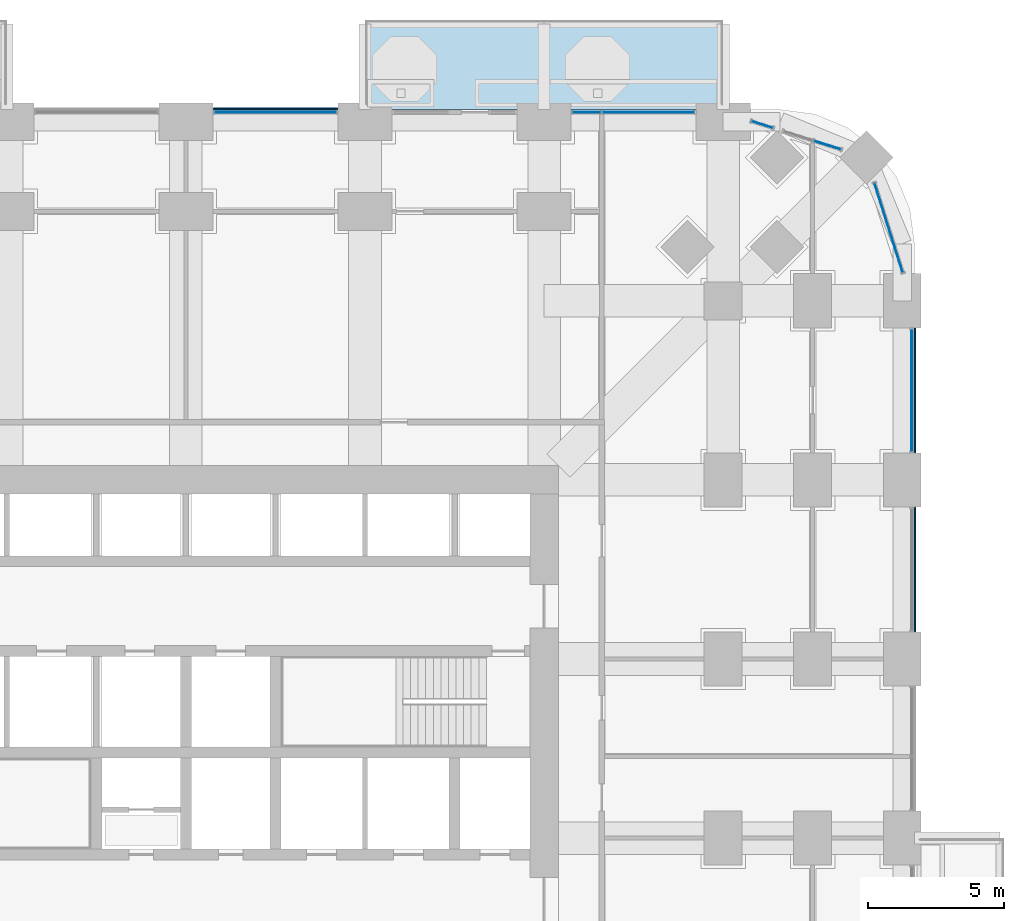
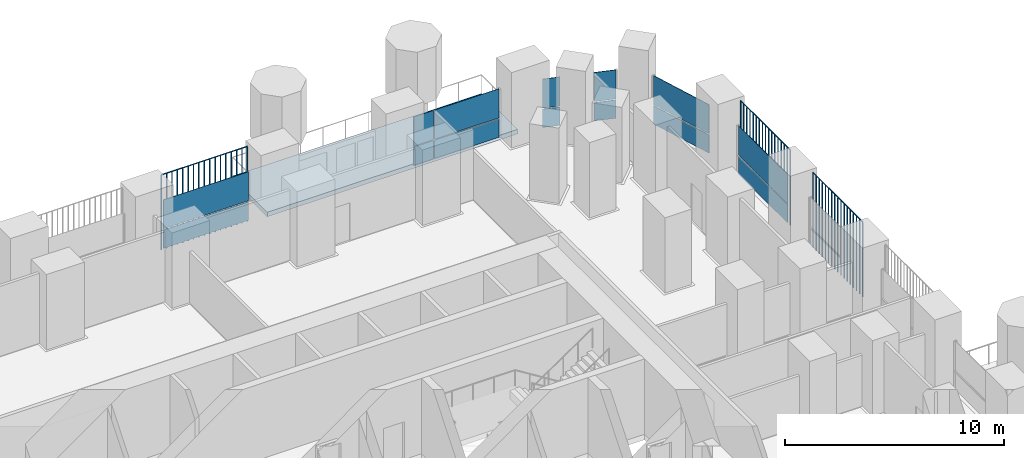
# One storey, part 15 of 25: 17 plates, 1 slab, 6 elements without a shape of their own.
"""IFC4 building model written with IfcOpenShell, lengths in metres."""

from ifc_helpers import new_model, si_unit, direction, frame, origin, origin_2d, place, context, subcontext, project, spatial, polyline, rectangle, outline, extrude, material, layer, layer_set, type_object, element, aggregate, save


model = new_model("IFC4")

# Units and contexts
model_context = context("Model", 3, precision=1e-05, world=origin(), true_north=direction((0.0, 1.0)))
body_context = subcontext(model_context, "Body", "Model", "MODEL_VIEW")
ifc_project = project(units=[si_unit("LENGTHUNIT", "METRE"), si_unit("AREAUNIT", "SQUARE_METRE"), si_unit("VOLUMEUNIT", "CUBIC_METRE"), si_unit("PLANEANGLEUNIT", "RADIAN"), si_unit("MASSUNIT", "GRAM", prefix="KILO")], contexts=[model_context])

# Site, building, storey
site_placement = place(None, origin())
site = spatial("IfcSite", under=ifc_project, at=site_placement, CompositionType="ELEMENT")
building_placement = place(site_placement, origin())
building = spatial("IfcBuilding", under=site, at=building_placement, Name="Cobogo Forest Laboratory Tower", CompositionType="ELEMENT")
storey_placement = place(building_placement, frame((0.0, 0.0, 21.300048828125)))
storey = spatial("IfcBuildingStorey", under=building, at=storey_placement, Name="L04", CompositionType="ELEMENT", Elevation=21.300048828125)

# Slab
ifc_material_1 = material(Name="Concrete HA-40 (C40/50)", Category="concrete")
ifc_layer_1 = layer(ifc_material_1, 0.25)
ifc_layer_set_1 = layer_set([ifc_layer_1], Name="Balcony slab 250")
slab_type = type_object("IfcSlabType", Name="Balcony slab 250", PredefinedType="FLOOR", material=ifc_layer_set_1)
slab_placement = place(storey_placement, frame((0.0, 0.0, -0.25)))
element("IfcSlab", 1, at=slab_placement, inside=storey, type_object=slab_type, Name="Balcony BAL-N2 L04", PredefinedType="FLOOR", context=body_context, shape_type="SweptSolid", body=[
    extrude(outline(polyline([(33.0, 46.64990234375), (46.199951171875, 46.64990234375), (46.199951171875, 49.949951171875), (33.0, 49.949951171875), (33.0, 46.64990234375)])), origin(), (0.0, 0.0, 1.0), 0.25),
])

# Curtain wall, plates
ifc_material_2 = material(Name="Aluminium curtain wall", Category="aluminium")
curtain_wall_type = type_object("IfcCurtainWallType", Name="CW-1 unitised curtain wall, clear glazing, laboratory floors zones A and B", PredefinedType="USERDEFINED", material=ifc_material_2)
curtain_wall_1_placement = place(storey_placement, origin())
curtain_wall_1 = element("IfcCurtainWall", 2, at=curtain_wall_1_placement, inside=storey, type_object=curtain_wall_type, Name="Curtain wall 14 L04", ObjectType="UNITISED CURTAIN WALL", PredefinedType="USERDEFINED")
ifc_material_3 = material(Name="Clear insulated glass", Category="glass")
ifc_layer_2 = layer(ifc_material_3, 0.028076171875)
ifc_layer_set_2 = layer_set([ifc_layer_2], Name="GP-1 clear insulated glass unit 28")
plate_type_1 = type_object("IfcPlateType", Name="GP-1 clear insulated glass unit 28", PredefinedType="CURTAIN_PANEL", material=ifc_layer_set_2)
plate_1_placement = place(storey_placement, frame((53.14990234375, 36.300048828125, 0.0), z_axis=(0.0, 0.0, 1.0), x_axis=(0.0, 1.0, 0.0)))
plate_1 = element("IfcPlate", 3, at=plate_1_placement, type_object=plate_type_1, Name="CW-1 panel 1.1", PredefinedType="CURTAIN_PANEL", context=body_context, shape_type="SweptSolid", body=[
    extrude(rectangle(XDim=4.47998046875, YDim=0.028076171875, at=origin_2d()), origin(), (0.0, 0.0, 1.0), 1.02001953125),
])
plate_2_placement = place(storey_placement, frame((53.14990234375, 36.300048828125, 1.079833984375), z_axis=(0.0, 0.0, 1.0), x_axis=(0.0, 1.0, 0.0)))
plate_2 = element("IfcPlate", 4, at=plate_2_placement, type_object=plate_type_1, Name="CW-1 panel 1.2", PredefinedType="CURTAIN_PANEL", context=body_context, shape_type="SweptSolid", body=[
    extrude(rectangle(XDim=4.47998046875, YDim=0.028076171875, at=origin_2d()), origin(), (0.0, 0.0, 1.0), 1.6201171875),
])
aggregate(curtain_wall_1, [plate_1, plate_2])

curtain_wall_2_placement = place(storey_placement, origin())
curtain_wall_2 = element("IfcCurtainWall", 5, at=curtain_wall_2_placement, inside=storey, type_object=curtain_wall_type, Name="Curtain wall 15 L04", ObjectType="UNITISED CURTAIN WALL", PredefinedType="USERDEFINED")
plate_3_placement = place(storey_placement, frame((52.299072265625, 42.294921875, 0.0), z_axis=(0.0, 0.0, 1.0), x_axis=(-0.301135433696, 0.953581381201, 0.0)))
plate_3 = element("IfcPlate", 6, at=plate_3_placement, type_object=plate_type_1, Name="CW-1 panel 1.1", PredefinedType="CURTAIN_PANEL", context=body_context, shape_type="SweptSolid", body=[
    extrude(rectangle(XDim=3.434814453125, YDim=0.028076171875, at=origin_2d()), origin(), (0.0, 0.0, 1.0), 1.02001953125),
])
plate_4_placement = place(storey_placement, frame((52.299072265625, 42.294921875, 1.079833984375), z_axis=(0.0, 0.0, 1.0), x_axis=(-0.301135433696, 0.953581381201, 0.0)))
plate_4 = element("IfcPlate", 7, at=plate_4_placement, type_object=plate_type_1, Name="CW-1 panel 1.2", PredefinedType="CURTAIN_PANEL", context=body_context, shape_type="SweptSolid", body=[
    extrude(rectangle(XDim=3.434814453125, YDim=0.028076171875, at=origin_2d()), origin(), (0.0, 0.0, 1.0), 1.6201171875),
])
aggregate(curtain_wall_2, [plate_3, plate_4])

curtain_wall_3_placement = place(storey_placement, origin())
curtain_wall_3 = element("IfcCurtainWall", 8, at=curtain_wall_3_placement, inside=storey, type_object=curtain_wall_type, Name="Curtain wall 16 L04", ObjectType="UNITISED CURTAIN WALL", PredefinedType="USERDEFINED")
plate_5_placement = place(storey_placement, frame((50.042724609375, 45.33642578125, 0.0), z_axis=(0.0, 0.0, 1.0), x_axis=(-0.953581409645, 0.301135343623, 0.0)))
plate_5 = element("IfcPlate", 9, at=plate_5_placement, type_object=plate_type_1, Name="CW-1 panel 1.1", PredefinedType="CURTAIN_PANEL", context=body_context, shape_type="SweptSolid", body=[
    extrude(rectangle(XDim=1.027587890625, YDim=0.028076171875, at=origin_2d()), origin(), (0.0, 0.0, 1.0), 1.02001953125),
])
plate_6_placement = place(storey_placement, frame((50.042724609375, 45.33642578125, 1.079833984375), z_axis=(0.0, 0.0, 1.0), x_axis=(-0.953581409645, 0.301135343623, 0.0)))
plate_6 = element("IfcPlate", 10, at=plate_6_placement, type_object=plate_type_1, Name="CW-1 panel 1.2", PredefinedType="CURTAIN_PANEL", context=body_context, shape_type="SweptSolid", body=[
    extrude(rectangle(XDim=1.027587890625, YDim=0.028076171875, at=origin_2d()), origin(), (0.0, 0.0, 1.0), 1.6201171875),
])
aggregate(curtain_wall_3, [plate_5, plate_6])

curtain_wall_4_placement = place(storey_placement, origin())
curtain_wall_4 = element("IfcCurtainWall", 11, at=curtain_wall_4_placement, inside=storey, type_object=curtain_wall_type, Name="Curtain wall 17 L04", ObjectType="UNITISED CURTAIN WALL", PredefinedType="USERDEFINED")
plate_7_placement = place(storey_placement, frame((47.640869140625, 46.094970703125, 0.0), z_axis=(0.0, 0.0, 1.0), x_axis=(-0.953581406818, 0.301135352577, 0.0)))
plate_7 = element("IfcPlate", 12, at=plate_7_placement, type_object=plate_type_1, Name="CW-1 panel 1.1", PredefinedType="CURTAIN_PANEL", context=body_context, shape_type="SweptSolid", body=[
    extrude(rectangle(XDim=0.804931640625, YDim=0.028076171875, at=origin_2d()), origin(), (0.0, 0.0, 1.0), 1.02001953125),
])
plate_8_placement = place(storey_placement, frame((47.640869140625, 46.094970703125, 1.079833984375), z_axis=(0.0, 0.0, 1.0), x_axis=(-0.953581406818, 0.301135352577, 0.0)))
plate_8 = element("IfcPlate", 13, at=plate_8_placement, type_object=plate_type_1, Name="CW-1 panel 1.2", PredefinedType="CURTAIN_PANEL", context=body_context, shape_type="SweptSolid", body=[
    extrude(rectangle(XDim=0.804931640625, YDim=0.028076171875, at=origin_2d()), origin(), (0.0, 0.0, 1.0), 1.6201171875),
])
aggregate(curtain_wall_4, [plate_7, plate_8])

curtain_wall_5_placement = place(storey_placement, origin())
curtain_wall_5 = element("IfcCurtainWall", 14, at=curtain_wall_5_placement, inside=storey, type_object=curtain_wall_type, Name="Curtain wall 18 L04", ObjectType="UNITISED CURTAIN WALL", PredefinedType="USERDEFINED")
plate_9_placement = place(storey_placement, frame((43.447509765625, 46.550048828125, 0.0), z_axis=(0.0, 0.0, 1.0), x_axis=(-1.0, 0.0, 0.0)))
plate_9 = element("IfcPlate", 15, at=plate_9_placement, type_object=plate_type_1, Name="CW-1 panel 1.1", PredefinedType="CURTAIN_PANEL", context=body_context, shape_type="SweptSolid", body=[
    extrude(rectangle(XDim=3.385009765625, YDim=0.028076171875, at=origin_2d()), origin(), (0.0, 0.0, 1.0), 1.02001953125),
])
plate_10_placement = place(storey_placement, frame((43.447509765625, 46.550048828125, 1.079833984375), z_axis=(0.0, 0.0, 1.0), x_axis=(-1.0, 0.0, 0.0)))
plate_10 = element("IfcPlate", 16, at=plate_10_placement, type_object=plate_type_1, Name="CW-1 panel 1.2", PredefinedType="CURTAIN_PANEL", context=body_context, shape_type="SweptSolid", body=[
    extrude(rectangle(XDim=3.385009765625, YDim=0.028076171875, at=origin_2d()), origin(), (0.0, 0.0, 1.0), 1.6201171875),
])
plate_11_placement = place(storey_placement, frame((41.177490234375, 46.550048828125, 0.0), z_axis=(0.0, 0.0, 1.0), x_axis=(-1.0, 0.0, 0.0)))
plate_11 = element("IfcPlate", 17, at=plate_11_placement, type_object=plate_type_1, Name="CW-1 panel 2.1", PredefinedType="CURTAIN_PANEL", context=body_context, shape_type="SweptSolid", body=[
    extrude(rectangle(XDim=1.034912109375, YDim=0.028076171875, at=origin_2d()), origin(), (0.0, 0.0, 1.0), 1.02001953125),
])
plate_12_placement = place(storey_placement, frame((41.177490234375, 46.550048828125, 1.079833984375), z_axis=(0.0, 0.0, 1.0), x_axis=(-1.0, 0.0, 0.0)))
plate_12 = element("IfcPlate", 18, at=plate_12_placement, type_object=plate_type_1, Name="CW-1 panel 2.2", PredefinedType="CURTAIN_PANEL", context=body_context, shape_type="SweptSolid", body=[
    extrude(rectangle(XDim=1.034912109375, YDim=0.028076171875, at=origin_2d()), origin(), (0.0, 0.0, 1.0), 1.6201171875),
])
aggregate(curtain_wall_5, [plate_9, plate_10, plate_11, plate_12])

curtain_wall_6_placement = place(storey_placement, origin())
curtain_wall_6 = element("IfcCurtainWall", 19, at=curtain_wall_6_placement, inside=storey, type_object=curtain_wall_type, Name="Curtain wall 20 L04", ObjectType="UNITISED CURTAIN WALL", PredefinedType="USERDEFINED")
plate_13_placement = place(storey_placement, frame((29.699951171875, 46.550048828125, 0.0), z_axis=(0.0, 0.0, 1.0), x_axis=(-1.0, 0.0, 0.0)))
plate_13 = element("IfcPlate", 20, at=plate_13_placement, type_object=plate_type_1, Name="CW-1 panel 1.1", PredefinedType="CURTAIN_PANEL", context=body_context, shape_type="SweptSolid", body=[
    extrude(rectangle(XDim=4.47998046875, YDim=0.028076171875, at=origin_2d()), origin(), (0.0, 0.0, 1.0), 1.02001953125),
])
plate_14_placement = place(storey_placement, frame((29.699951171875, 46.550048828125, 1.079833984375), z_axis=(0.0, 0.0, 1.0), x_axis=(-1.0, 0.0, 0.0)))
plate_14 = element("IfcPlate", 21, at=plate_14_placement, type_object=plate_type_1, Name="CW-1 panel 1.2", PredefinedType="CURTAIN_PANEL", context=body_context, shape_type="SweptSolid", body=[
    extrude(rectangle(XDim=4.47998046875, YDim=0.028076171875, at=origin_2d()), origin(), (0.0, 0.0, 1.0), 1.6201171875),
])
aggregate(curtain_wall_6, [plate_13, plate_14])

# Plates
ifc_material_4 = material(Name="Terracotta", Category="masonry")
plate_type_2 = type_object("IfcPlateType", Name="TB1 terracotta baguette screen", PredefinedType="USERDEFINED", material=ifc_material_4)
plate_15_placement = place(storey_placement, frame((53.27783203125, 27.43115234375, -0.150146484375)))
element("IfcPlate", 22, at=plate_15_placement, inside=storey, type_object=plate_type_2, Name="Baguette screen E4 L04", ObjectType="BAGUETTE SCREEN", PredefinedType="USERDEFINED", context=body_context, shape_type="SweptSolid", body=[
    extrude(outline(polyline([(0.02880859375, 0.011962890625), (0.011962890625, 0.02880859375), (-0.011962890625, 0.02880859375), (-0.02880859375, 0.011962890625), (-0.02880859375, -0.011962890625), (-0.011962890625, -0.02880859375), (0.011962890625, -0.02880859375), (0.02880859375, -0.011962890625), (0.02880859375, 0.011962890625)])), frame((0.0, 0.0, 4.168701171875), z_axis=(0.0, 1.0, 0.0), x_axis=(-1.0, 0.0, 0.0)), (0.0, 0.0, 1.0), 4.53759765625),
    extrude(outline(polyline([(0.02880859375, 0.011962890625), (0.011962890625, 0.02880859375), (-0.011962890625, 0.02880859375), (-0.02880859375, 0.011962890625), (-0.02880859375, -0.011962890625), (-0.011962890625, -0.02880859375), (0.011962890625, -0.02880859375), (0.02880859375, -0.011962890625), (0.02880859375, 0.011962890625)])), origin(), (0.0, 0.0, 1.0), 4.137451171875),
    extrude(outline(polyline([(0.02880859375, 0.011962890625), (0.011962890625, 0.02880859375), (-0.011962890625, 0.02880859375), (-0.02880859375, 0.011962890625), (-0.02880859375, -0.011962890625), (-0.011962890625, -0.02880859375), (0.011962890625, -0.02880859375), (0.02880859375, -0.011962890625), (0.02880859375, 0.011962890625)])), frame((0.0, 0.28369140625, 0.0)), (0.0, 0.0, 1.0), 4.137451171875),
    extrude(outline(polyline([(0.02880859375, 0.011962890625), (0.011962890625, 0.02880859375), (-0.011962890625, 0.02880859375), (-0.02880859375, 0.011962890625), (-0.02880859375, -0.011962890625), (-0.011962890625, -0.02880859375), (0.011962890625, -0.02880859375), (0.02880859375, -0.011962890625), (0.02880859375, 0.011962890625)])), frame((0.0, 0.567138671875, 0.0)), (0.0, 0.0, 1.0), 4.137451171875),
    extrude(outline(polyline([(0.02880859375, 0.011962890625), (0.011962890625, 0.02880859375), (-0.011962890625, 0.02880859375), (-0.02880859375, 0.011962890625), (-0.02880859375, -0.011962890625), (-0.011962890625, -0.02880859375), (0.011962890625, -0.02880859375), (0.02880859375, -0.011962890625), (0.02880859375, 0.011962890625)])), frame((0.0, 0.850830078125, 0.0)), (0.0, 0.0, 1.0), 4.137451171875),
    extrude(outline(polyline([(0.02880859375, 0.011962890625), (0.011962890625, 0.02880859375), (-0.011962890625, 0.02880859375), (-0.02880859375, 0.011962890625), (-0.02880859375, -0.011962890625), (-0.011962890625, -0.02880859375), (0.011962890625, -0.02880859375), (0.02880859375, -0.011962890625), (0.02880859375, 0.011962890625)])), frame((0.0, 1.13427734375, 0.0)), (0.0, 0.0, 1.0), 4.137451171875),
    extrude(outline(polyline([(0.02880859375, 0.011962890625), (0.011962890625, 0.02880859375), (-0.011962890625, 0.02880859375), (-0.02880859375, 0.011962890625), (-0.02880859375, -0.011962890625), (-0.011962890625, -0.02880859375), (0.011962890625, -0.02880859375), (0.02880859375, -0.011962890625), (0.02880859375, 0.011962890625)])), frame((0.0, 1.41796875, 0.0)), (0.0, 0.0, 1.0), 4.137451171875),
    extrude(outline(polyline([(0.02880859375, 0.011962890625), (0.011962890625, 0.02880859375), (-0.011962890625, 0.02880859375), (-0.02880859375, 0.011962890625), (-0.02880859375, -0.011962890625), (-0.011962890625, -0.02880859375), (0.011962890625, -0.02880859375), (0.02880859375, -0.011962890625), (0.02880859375, 0.011962890625)])), frame((0.0, 1.70166015625, 0.0)), (0.0, 0.0, 1.0), 4.137451171875),
    extrude(outline(polyline([(0.02880859375, 0.011962890625), (0.011962890625, 0.02880859375), (-0.011962890625, 0.02880859375), (-0.02880859375, 0.011962890625), (-0.02880859375, -0.011962890625), (-0.011962890625, -0.02880859375), (0.011962890625, -0.02880859375), (0.02880859375, -0.011962890625), (0.02880859375, 0.011962890625)])), frame((0.0, 1.985107421875, 0.0)), (0.0, 0.0, 1.0), 4.137451171875),
    extrude(outline(polyline([(0.02880859375, 0.011962890625), (0.011962890625, 0.02880859375), (-0.011962890625, 0.02880859375), (-0.02880859375, 0.011962890625), (-0.02880859375, -0.011962890625), (-0.011962890625, -0.02880859375), (0.011962890625, -0.02880859375), (0.02880859375, -0.011962890625), (0.02880859375, 0.011962890625)])), frame((0.0, 2.268798828125, 0.0)), (0.0, 0.0, 1.0), 4.137451171875),
    extrude(outline(polyline([(0.02880859375, 0.011962890625), (0.011962890625, 0.02880859375), (-0.011962890625, 0.02880859375), (-0.02880859375, 0.011962890625), (-0.02880859375, -0.011962890625), (-0.011962890625, -0.02880859375), (0.011962890625, -0.02880859375), (0.02880859375, -0.011962890625), (0.02880859375, 0.011962890625)])), frame((0.0, 2.552490234375, 0.0)), (0.0, 0.0, 1.0), 4.137451171875),
    extrude(outline(polyline([(0.02880859375, 0.011962890625), (0.011962890625, 0.02880859375), (-0.011962890625, 0.02880859375), (-0.02880859375, 0.011962890625), (-0.02880859375, -0.011962890625), (-0.011962890625, -0.02880859375), (0.011962890625, -0.02880859375), (0.02880859375, -0.011962890625), (0.02880859375, 0.011962890625)])), frame((0.0, 2.8359375, 0.0)), (0.0, 0.0, 1.0), 4.137451171875),
    extrude(outline(polyline([(0.02880859375, 0.011962890625), (0.011962890625, 0.02880859375), (-0.011962890625, 0.02880859375), (-0.02880859375, 0.011962890625), (-0.02880859375, -0.011962890625), (-0.011962890625, -0.02880859375), (0.011962890625, -0.02880859375), (0.02880859375, -0.011962890625), (0.02880859375, 0.011962890625)])), frame((0.0, 3.11962890625, 0.0)), (0.0, 0.0, 1.0), 4.137451171875),
    extrude(outline(polyline([(0.02880859375, 0.011962890625), (0.011962890625, 0.02880859375), (-0.011962890625, 0.02880859375), (-0.02880859375, 0.011962890625), (-0.02880859375, -0.011962890625), (-0.011962890625, -0.02880859375), (0.011962890625, -0.02880859375), (0.02880859375, -0.011962890625), (0.02880859375, 0.011962890625)])), frame((0.0, 3.4033203125, 0.0)), (0.0, 0.0, 1.0), 4.137451171875),
    extrude(outline(polyline([(0.02880859375, 0.011962890625), (0.011962890625, 0.02880859375), (-0.011962890625, 0.02880859375), (-0.02880859375, 0.011962890625), (-0.02880859375, -0.011962890625), (-0.011962890625, -0.02880859375), (0.011962890625, -0.02880859375), (0.02880859375, -0.011962890625), (0.02880859375, 0.011962890625)])), frame((0.0, 3.686767578125, 0.0)), (0.0, 0.0, 1.0), 4.137451171875),
    extrude(outline(polyline([(0.02880859375, 0.011962890625), (0.011962890625, 0.02880859375), (-0.011962890625, 0.02880859375), (-0.02880859375, 0.011962890625), (-0.02880859375, -0.011962890625), (-0.011962890625, -0.02880859375), (0.011962890625, -0.02880859375), (0.02880859375, -0.011962890625), (0.02880859375, 0.011962890625)])), frame((0.0, 3.970458984375, 0.0)), (0.0, 0.0, 1.0), 4.137451171875),
    extrude(outline(polyline([(0.02880859375, 0.011962890625), (0.011962890625, 0.02880859375), (-0.011962890625, 0.02880859375), (-0.02880859375, 0.011962890625), (-0.02880859375, -0.011962890625), (-0.011962890625, -0.02880859375), (0.011962890625, -0.02880859375), (0.02880859375, -0.011962890625), (0.02880859375, 0.011962890625)])), frame((0.0, 4.25390625, 0.0)), (0.0, 0.0, 1.0), 4.137451171875),
    extrude(outline(polyline([(0.02880859375, 0.011962890625), (0.011962890625, 0.02880859375), (-0.011962890625, 0.02880859375), (-0.02880859375, 0.011962890625), (-0.02880859375, -0.011962890625), (-0.011962890625, -0.02880859375), (0.011962890625, -0.02880859375), (0.02880859375, -0.011962890625), (0.02880859375, 0.011962890625)])), frame((0.0, 4.53759765625, 0.0)), (0.0, 0.0, 1.0), 4.137451171875),
])
plate_16_placement = place(storey_placement, frame((53.27783203125, 34.03125, -0.150146484375)))
element("IfcPlate", 23, at=plate_16_placement, inside=storey, type_object=plate_type_2, Name="Baguette screen E5 L04", ObjectType="BAGUETTE SCREEN", PredefinedType="USERDEFINED", context=body_context, shape_type="SweptSolid", body=[
    extrude(outline(polyline([(0.02880859375, 0.011962890625), (0.011962890625, 0.02880859375), (-0.011962890625, 0.02880859375), (-0.02880859375, 0.011962890625), (-0.02880859375, -0.011962890625), (-0.011962890625, -0.02880859375), (0.011962890625, -0.02880859375), (0.02880859375, -0.011962890625), (0.02880859375, 0.011962890625)])), frame((0.0, 0.0, 4.168701171875), z_axis=(0.0, 1.0, 0.0), x_axis=(-1.0, 0.0, 0.0)), (0.0, 0.0, 1.0), 4.53759765625),
    extrude(outline(polyline([(0.02880859375, 0.011962890625), (0.011962890625, 0.02880859375), (-0.011962890625, 0.02880859375), (-0.02880859375, 0.011962890625), (-0.02880859375, -0.011962890625), (-0.011962890625, -0.02880859375), (0.011962890625, -0.02880859375), (0.02880859375, -0.011962890625), (0.02880859375, 0.011962890625)])), origin(), (0.0, 0.0, 1.0), 4.137451171875),
    extrude(outline(polyline([(0.02880859375, 0.011962890625), (0.011962890625, 0.02880859375), (-0.011962890625, 0.02880859375), (-0.02880859375, 0.011962890625), (-0.02880859375, -0.011962890625), (-0.011962890625, -0.02880859375), (0.011962890625, -0.02880859375), (0.02880859375, -0.011962890625), (0.02880859375, 0.011962890625)])), frame((0.0, 0.28369140625, 0.0)), (0.0, 0.0, 1.0), 4.137451171875),
    extrude(outline(polyline([(0.02880859375, 0.011962890625), (0.011962890625, 0.02880859375), (-0.011962890625, 0.02880859375), (-0.02880859375, 0.011962890625), (-0.02880859375, -0.011962890625), (-0.011962890625, -0.02880859375), (0.011962890625, -0.02880859375), (0.02880859375, -0.011962890625), (0.02880859375, 0.011962890625)])), frame((0.0, 0.567138671875, 0.0)), (0.0, 0.0, 1.0), 4.137451171875),
    extrude(outline(polyline([(0.02880859375, 0.011962890625), (0.011962890625, 0.02880859375), (-0.011962890625, 0.02880859375), (-0.02880859375, 0.011962890625), (-0.02880859375, -0.011962890625), (-0.011962890625, -0.02880859375), (0.011962890625, -0.02880859375), (0.02880859375, -0.011962890625), (0.02880859375, 0.011962890625)])), frame((0.0, 0.850830078125, 0.0)), (0.0, 0.0, 1.0), 4.137451171875),
    extrude(outline(polyline([(0.02880859375, 0.011962890625), (0.011962890625, 0.02880859375), (-0.011962890625, 0.02880859375), (-0.02880859375, 0.011962890625), (-0.02880859375, -0.011962890625), (-0.011962890625, -0.02880859375), (0.011962890625, -0.02880859375), (0.02880859375, -0.011962890625), (0.02880859375, 0.011962890625)])), frame((0.0, 1.13427734375, 0.0)), (0.0, 0.0, 1.0), 4.137451171875),
    extrude(outline(polyline([(0.02880859375, 0.011962890625), (0.011962890625, 0.02880859375), (-0.011962890625, 0.02880859375), (-0.02880859375, 0.011962890625), (-0.02880859375, -0.011962890625), (-0.011962890625, -0.02880859375), (0.011962890625, -0.02880859375), (0.02880859375, -0.011962890625), (0.02880859375, 0.011962890625)])), frame((0.0, 1.41796875, 0.0)), (0.0, 0.0, 1.0), 4.137451171875),
    extrude(outline(polyline([(0.02880859375, 0.011962890625), (0.011962890625, 0.02880859375), (-0.011962890625, 0.02880859375), (-0.02880859375, 0.011962890625), (-0.02880859375, -0.011962890625), (-0.011962890625, -0.02880859375), (0.011962890625, -0.02880859375), (0.02880859375, -0.011962890625), (0.02880859375, 0.011962890625)])), frame((0.0, 1.70166015625, 0.0)), (0.0, 0.0, 1.0), 4.137451171875),
    extrude(outline(polyline([(0.02880859375, 0.011962890625), (0.011962890625, 0.02880859375), (-0.011962890625, 0.02880859375), (-0.02880859375, 0.011962890625), (-0.02880859375, -0.011962890625), (-0.011962890625, -0.02880859375), (0.011962890625, -0.02880859375), (0.02880859375, -0.011962890625), (0.02880859375, 0.011962890625)])), frame((0.0, 1.985107421875, 0.0)), (0.0, 0.0, 1.0), 4.137451171875),
    extrude(outline(polyline([(0.02880859375, 0.011962890625), (0.011962890625, 0.02880859375), (-0.011962890625, 0.02880859375), (-0.02880859375, 0.011962890625), (-0.02880859375, -0.011962890625), (-0.011962890625, -0.02880859375), (0.011962890625, -0.02880859375), (0.02880859375, -0.011962890625), (0.02880859375, 0.011962890625)])), frame((0.0, 2.268798828125, 0.0)), (0.0, 0.0, 1.0), 4.137451171875),
    extrude(outline(polyline([(0.02880859375, 0.011962890625), (0.011962890625, 0.02880859375), (-0.011962890625, 0.02880859375), (-0.02880859375, 0.011962890625), (-0.02880859375, -0.011962890625), (-0.011962890625, -0.02880859375), (0.011962890625, -0.02880859375), (0.02880859375, -0.011962890625), (0.02880859375, 0.011962890625)])), frame((0.0, 2.552490234375, 0.0)), (0.0, 0.0, 1.0), 4.137451171875),
    extrude(outline(polyline([(0.02880859375, 0.011962890625), (0.011962890625, 0.02880859375), (-0.011962890625, 0.02880859375), (-0.02880859375, 0.011962890625), (-0.02880859375, -0.011962890625), (-0.011962890625, -0.02880859375), (0.011962890625, -0.02880859375), (0.02880859375, -0.011962890625), (0.02880859375, 0.011962890625)])), frame((0.0, 2.8359375, 0.0)), (0.0, 0.0, 1.0), 4.137451171875),
    extrude(outline(polyline([(0.02880859375, 0.011962890625), (0.011962890625, 0.02880859375), (-0.011962890625, 0.02880859375), (-0.02880859375, 0.011962890625), (-0.02880859375, -0.011962890625), (-0.011962890625, -0.02880859375), (0.011962890625, -0.02880859375), (0.02880859375, -0.011962890625), (0.02880859375, 0.011962890625)])), frame((0.0, 3.11962890625, 0.0)), (0.0, 0.0, 1.0), 4.137451171875),
    extrude(outline(polyline([(0.02880859375, 0.011962890625), (0.011962890625, 0.02880859375), (-0.011962890625, 0.02880859375), (-0.02880859375, 0.011962890625), (-0.02880859375, -0.011962890625), (-0.011962890625, -0.02880859375), (0.011962890625, -0.02880859375), (0.02880859375, -0.011962890625), (0.02880859375, 0.011962890625)])), frame((0.0, 3.4033203125, 0.0)), (0.0, 0.0, 1.0), 4.137451171875),
    extrude(outline(polyline([(0.02880859375, 0.011962890625), (0.011962890625, 0.02880859375), (-0.011962890625, 0.02880859375), (-0.02880859375, 0.011962890625), (-0.02880859375, -0.011962890625), (-0.011962890625, -0.02880859375), (0.011962890625, -0.02880859375), (0.02880859375, -0.011962890625), (0.02880859375, 0.011962890625)])), frame((0.0, 3.686767578125, 0.0)), (0.0, 0.0, 1.0), 4.137451171875),
    extrude(outline(polyline([(0.02880859375, 0.011962890625), (0.011962890625, 0.02880859375), (-0.011962890625, 0.02880859375), (-0.02880859375, 0.011962890625), (-0.02880859375, -0.011962890625), (-0.011962890625, -0.02880859375), (0.011962890625, -0.02880859375), (0.02880859375, -0.011962890625), (0.02880859375, 0.011962890625)])), frame((0.0, 3.970458984375, 0.0)), (0.0, 0.0, 1.0), 4.137451171875),
    extrude(outline(polyline([(0.02880859375, 0.011962890625), (0.011962890625, 0.02880859375), (-0.011962890625, 0.02880859375), (-0.02880859375, 0.011962890625), (-0.02880859375, -0.011962890625), (-0.011962890625, -0.02880859375), (0.011962890625, -0.02880859375), (0.02880859375, -0.011962890625), (0.02880859375, 0.011962890625)])), frame((0.0, 4.25390625, 0.0)), (0.0, 0.0, 1.0), 4.137451171875),
    extrude(outline(polyline([(0.02880859375, 0.011962890625), (0.011962890625, 0.02880859375), (-0.011962890625, 0.02880859375), (-0.02880859375, 0.011962890625), (-0.02880859375, -0.011962890625), (-0.011962890625, -0.02880859375), (0.011962890625, -0.02880859375), (0.02880859375, -0.011962890625), (0.02880859375, 0.011962890625)])), frame((0.0, 4.53759765625, 0.0)), (0.0, 0.0, 1.0), 4.137451171875),
])
plate_17_placement = place(storey_placement, frame((27.43115234375, 46.677978515625, -0.150146484375)))
element("IfcPlate", 24, at=plate_17_placement, inside=storey, type_object=plate_type_2, Name="Baguette screen N4 L04", ObjectType="BAGUETTE SCREEN", PredefinedType="USERDEFINED", context=body_context, shape_type="SweptSolid", body=[
    extrude(outline(polyline([(0.02880859375, 0.011962890625), (0.011962890625, 0.02880859375), (-0.011962890625, 0.02880859375), (-0.02880859375, 0.011962890625), (-0.02880859375, -0.011962890625), (-0.011962890625, -0.02880859375), (0.011962890625, -0.02880859375), (0.02880859375, -0.011962890625), (0.02880859375, 0.011962890625)])), frame((0.0, 0.0, 4.168701171875), z_axis=(1.0, 0.0, 0.0), x_axis=(0.0, 1.0, 0.0)), (0.0, 0.0, 1.0), 4.53759765625),
    extrude(outline(polyline([(0.02880859375, 0.011962890625), (0.011962890625, 0.02880859375), (-0.011962890625, 0.02880859375), (-0.02880859375, 0.011962890625), (-0.02880859375, -0.011962890625), (-0.011962890625, -0.02880859375), (0.011962890625, -0.02880859375), (0.02880859375, -0.011962890625), (0.02880859375, 0.011962890625)])), origin(), (0.0, 0.0, 1.0), 4.137451171875),
    extrude(outline(polyline([(0.02880859375, 0.011962890625), (0.011962890625, 0.02880859375), (-0.011962890625, 0.02880859375), (-0.02880859375, 0.011962890625), (-0.02880859375, -0.011962890625), (-0.011962890625, -0.02880859375), (0.011962890625, -0.02880859375), (0.02880859375, -0.011962890625), (0.02880859375, 0.011962890625)])), frame((0.28369140625, 0.0, 0.0)), (0.0, 0.0, 1.0), 4.137451171875),
    extrude(outline(polyline([(0.02880859375, 0.011962890625), (0.011962890625, 0.02880859375), (-0.011962890625, 0.02880859375), (-0.02880859375, 0.011962890625), (-0.02880859375, -0.011962890625), (-0.011962890625, -0.02880859375), (0.011962890625, -0.02880859375), (0.02880859375, -0.011962890625), (0.02880859375, 0.011962890625)])), frame((0.567138671875, 0.0, 0.0)), (0.0, 0.0, 1.0), 4.137451171875),
    extrude(outline(polyline([(0.02880859375, 0.011962890625), (0.011962890625, 0.02880859375), (-0.011962890625, 0.02880859375), (-0.02880859375, 0.011962890625), (-0.02880859375, -0.011962890625), (-0.011962890625, -0.02880859375), (0.011962890625, -0.02880859375), (0.02880859375, -0.011962890625), (0.02880859375, 0.011962890625)])), frame((0.850830078125, 0.0, 0.0)), (0.0, 0.0, 1.0), 4.137451171875),
    extrude(outline(polyline([(0.02880859375, 0.011962890625), (0.011962890625, 0.02880859375), (-0.011962890625, 0.02880859375), (-0.02880859375, 0.011962890625), (-0.02880859375, -0.011962890625), (-0.011962890625, -0.02880859375), (0.011962890625, -0.02880859375), (0.02880859375, -0.011962890625), (0.02880859375, 0.011962890625)])), frame((1.13427734375, 0.0, 0.0)), (0.0, 0.0, 1.0), 4.137451171875),
    extrude(outline(polyline([(0.02880859375, 0.011962890625), (0.011962890625, 0.02880859375), (-0.011962890625, 0.02880859375), (-0.02880859375, 0.011962890625), (-0.02880859375, -0.011962890625), (-0.011962890625, -0.02880859375), (0.011962890625, -0.02880859375), (0.02880859375, -0.011962890625), (0.02880859375, 0.011962890625)])), frame((1.41796875, 0.0, 0.0)), (0.0, 0.0, 1.0), 4.137451171875),
    extrude(outline(polyline([(0.02880859375, 0.011962890625), (0.011962890625, 0.02880859375), (-0.011962890625, 0.02880859375), (-0.02880859375, 0.011962890625), (-0.02880859375, -0.011962890625), (-0.011962890625, -0.02880859375), (0.011962890625, -0.02880859375), (0.02880859375, -0.011962890625), (0.02880859375, 0.011962890625)])), frame((1.70166015625, 0.0, 0.0)), (0.0, 0.0, 1.0), 4.137451171875),
    extrude(outline(polyline([(0.02880859375, 0.011962890625), (0.011962890625, 0.02880859375), (-0.011962890625, 0.02880859375), (-0.02880859375, 0.011962890625), (-0.02880859375, -0.011962890625), (-0.011962890625, -0.02880859375), (0.011962890625, -0.02880859375), (0.02880859375, -0.011962890625), (0.02880859375, 0.011962890625)])), frame((1.985107421875, 0.0, 0.0)), (0.0, 0.0, 1.0), 4.137451171875),
    extrude(outline(polyline([(0.02880859375, 0.011962890625), (0.011962890625, 0.02880859375), (-0.011962890625, 0.02880859375), (-0.02880859375, 0.011962890625), (-0.02880859375, -0.011962890625), (-0.011962890625, -0.02880859375), (0.011962890625, -0.02880859375), (0.02880859375, -0.011962890625), (0.02880859375, 0.011962890625)])), frame((2.268798828125, 0.0, 0.0)), (0.0, 0.0, 1.0), 4.137451171875),
    extrude(outline(polyline([(0.02880859375, 0.011962890625), (0.011962890625, 0.02880859375), (-0.011962890625, 0.02880859375), (-0.02880859375, 0.011962890625), (-0.02880859375, -0.011962890625), (-0.011962890625, -0.02880859375), (0.011962890625, -0.02880859375), (0.02880859375, -0.011962890625), (0.02880859375, 0.011962890625)])), frame((2.552490234375, 0.0, 0.0)), (0.0, 0.0, 1.0), 4.137451171875),
    extrude(outline(polyline([(0.02880859375, 0.011962890625), (0.011962890625, 0.02880859375), (-0.011962890625, 0.02880859375), (-0.02880859375, 0.011962890625), (-0.02880859375, -0.011962890625), (-0.011962890625, -0.02880859375), (0.011962890625, -0.02880859375), (0.02880859375, -0.011962890625), (0.02880859375, 0.011962890625)])), frame((2.8359375, 0.0, 0.0)), (0.0, 0.0, 1.0), 4.137451171875),
    extrude(outline(polyline([(0.02880859375, 0.011962890625), (0.011962890625, 0.02880859375), (-0.011962890625, 0.02880859375), (-0.02880859375, 0.011962890625), (-0.02880859375, -0.011962890625), (-0.011962890625, -0.02880859375), (0.011962890625, -0.02880859375), (0.02880859375, -0.011962890625), (0.02880859375, 0.011962890625)])), frame((3.11962890625, 0.0, 0.0)), (0.0, 0.0, 1.0), 4.137451171875),
    extrude(outline(polyline([(0.02880859375, 0.011962890625), (0.011962890625, 0.02880859375), (-0.011962890625, 0.02880859375), (-0.02880859375, 0.011962890625), (-0.02880859375, -0.011962890625), (-0.011962890625, -0.02880859375), (0.011962890625, -0.02880859375), (0.02880859375, -0.011962890625), (0.02880859375, 0.011962890625)])), frame((3.4033203125, 0.0, 0.0)), (0.0, 0.0, 1.0), 4.137451171875),
    extrude(outline(polyline([(0.02880859375, 0.011962890625), (0.011962890625, 0.02880859375), (-0.011962890625, 0.02880859375), (-0.02880859375, 0.011962890625), (-0.02880859375, -0.011962890625), (-0.011962890625, -0.02880859375), (0.011962890625, -0.02880859375), (0.02880859375, -0.011962890625), (0.02880859375, 0.011962890625)])), frame((3.686767578125, 0.0, 0.0)), (0.0, 0.0, 1.0), 4.137451171875),
    extrude(outline(polyline([(0.02880859375, 0.011962890625), (0.011962890625, 0.02880859375), (-0.011962890625, 0.02880859375), (-0.02880859375, 0.011962890625), (-0.02880859375, -0.011962890625), (-0.011962890625, -0.02880859375), (0.011962890625, -0.02880859375), (0.02880859375, -0.011962890625), (0.02880859375, 0.011962890625)])), frame((3.970458984375, 0.0, 0.0)), (0.0, 0.0, 1.0), 4.137451171875),
    extrude(outline(polyline([(0.02880859375, 0.011962890625), (0.011962890625, 0.02880859375), (-0.011962890625, 0.02880859375), (-0.02880859375, 0.011962890625), (-0.02880859375, -0.011962890625), (-0.011962890625, -0.02880859375), (0.011962890625, -0.02880859375), (0.02880859375, -0.011962890625), (0.02880859375, 0.011962890625)])), frame((4.25390625, 0.0, 0.0)), (0.0, 0.0, 1.0), 4.137451171875),
    extrude(outline(polyline([(0.02880859375, 0.011962890625), (0.011962890625, 0.02880859375), (-0.011962890625, 0.02880859375), (-0.02880859375, 0.011962890625), (-0.02880859375, -0.011962890625), (-0.011962890625, -0.02880859375), (0.011962890625, -0.02880859375), (0.02880859375, -0.011962890625), (0.02880859375, 0.011962890625)])), frame((4.53759765625, 0.0, 0.0)), (0.0, 0.0, 1.0), 4.137451171875),
])

save(model, "model.ifc")
